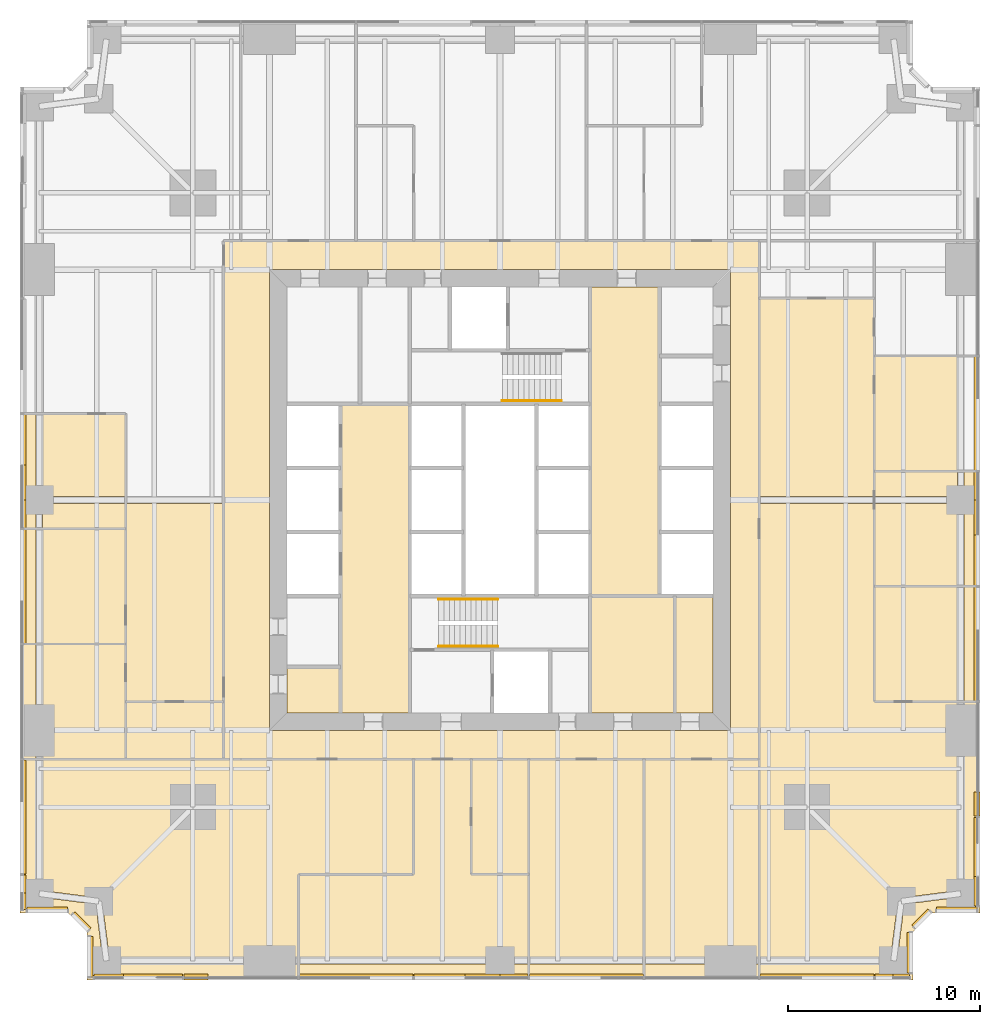
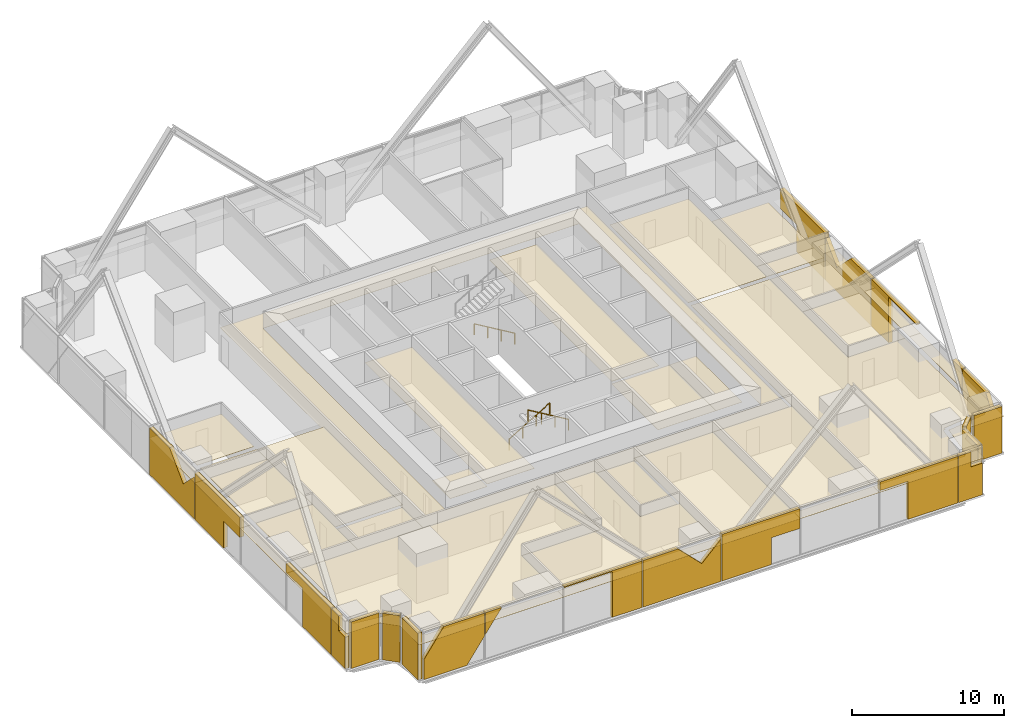
# One storey, part 12 of 13: 55 coverings, 3 railings.
"""IFC4 building model written with IfcOpenShell, lengths in metres."""

import ifcopenshell
import ifcopenshell.guid

model = None  # the IFC model being written
_history = None  # IfcOwnerHistory: only IFC2X3 demands one
_inside = {}  # id of a spatial element -> (the spatial element, [elements in it])
_under = {}  # id of a project, library or spatial element -> (it, [spatial elements below it])
_declared = {}  # id of a project -> (the project, [libraries it declares])
_typed = {}  # id of a type object -> (the type object, [elements of that type])
_made_of = {}  # id of a material, layer set ... -> (it, [elements and type objects made of it])


def new_model(schema):
    """Start an empty IFC model of exactly this schema.

    Asked for "IFC4X3", IfcOpenShell would pick the latest addendum, in which some entities
    have other attributes; the version numbers below select the first issue.
    IFC2X3 requires an IfcOwnerHistory on every rooted entity: one is made here for all.
    """
    global model, _history
    if schema == "IFC4X3":
        model = ifcopenshell.file(schema_version=(4, 3, 0, 0))
    else:
        model = ifcopenshell.file(schema=schema)
    _inside.clear()
    _under.clear()
    _declared.clear()
    _typed.clear()
    _made_of.clear()
    _history = None
    if model.schema == "IFC2X3":
        org = make("IfcOrganization", Name="unknown")
        user = make(
            "IfcPersonAndOrganization",
            ThePerson=make("IfcPerson", FamilyName="unknown"),
            TheOrganization=org,
        )
        app = make(
            "IfcApplication",
            ApplicationDeveloper=org,
            Version="unknown",
            ApplicationFullName="unknown",
            ApplicationIdentifier="unknown",
        )
        _history = make(
            "IfcOwnerHistory",
            OwningUser=user,
            OwningApplication=app,
            ChangeAction="ADDED",
            CreationDate=0,
        )
    return model


def make(cls, **values):
    """One entity of the class cls with the attributes given. An attribute that is None is left unset."""
    return model.create_entity(
        cls, **{name: value for name, value in values.items() if value is not None}
    )


def rooted(cls, **values):
    """An entity with a GlobalId (a new one), such as an element, a storey or a relation."""
    return make(cls, GlobalId=ifcopenshell.guid.new(), OwnerHistory=_history, **values)


def si_unit(unit_type, name, prefix=None):
    """IfcSIUnit, for example si_unit("LENGTHUNIT", "METRE", prefix="MILLI")."""
    return make("IfcSIUnit", UnitType=unit_type, Prefix=prefix, Name=name)


def assignment(units):
    """IfcUnitAssignment: the units of a project."""
    return None if units is None else make("IfcUnitAssignment", Units=units)


def point(xyz):
    """IfcCartesianPoint."""
    return None if xyz is None else make("IfcCartesianPoint", Coordinates=xyz)


def direction(xyz):
    """IfcDirection."""
    return None if xyz is None else make("IfcDirection", DirectionRatios=xyz)


def frame(location, z_axis=None, x_axis=None):
    """IfcAxis2Placement3D, a coordinate frame: its origin and axes. An axis left out is left unset."""
    return make(
        "IfcAxis2Placement3D",
        Location=point(location),
        Axis=direction(z_axis),
        RefDirection=direction(x_axis),
    )


def frame_2d(location, x_axis=None):
    """IfcAxis2Placement2D, a coordinate frame in the plane: its origin and x axis."""
    return make(
        "IfcAxis2Placement2D", Location=point(location), RefDirection=direction(x_axis)
    )


def origin():
    """The frame at (0, 0, 0) with its axes left unset."""
    return frame((0.0, 0.0, 0.0))


def origin_2d():
    """The frame at (0, 0) in the plane with its x axis left unset."""
    return frame_2d((0.0, 0.0))


def place(relative_to, where):
    """IfcLocalPlacement: puts the frame where relative to a parent placement (None: the world)."""
    return make(
        "IfcLocalPlacement", PlacementRelTo=relative_to, RelativePlacement=where
    )


def context(
    kind, dimensions, precision=None, world=None, true_north=None, identifier=None
):
    """IfcGeometricRepresentationContext, for example the 3D "Model" context."""
    return make(
        "IfcGeometricRepresentationContext",
        ContextIdentifier=identifier,
        ContextType=kind,
        CoordinateSpaceDimension=dimensions,
        Precision=precision,
        WorldCoordinateSystem=world,
        TrueNorth=true_north,
    )


def subcontext(parent, identifier, kind, view, scale=None):
    """IfcGeometricRepresentationSubContext, for example "Body" below "Model"."""
    return make(
        "IfcGeometricRepresentationSubContext",
        ContextIdentifier=identifier,
        ContextType=kind,
        ParentContext=parent,
        TargetScale=scale,
        TargetView=view,
    )


def project(units=None, contexts=None):
    """IfcProject with its units and contexts."""
    return rooted(
        "IfcProject",
        Name="project",
        RepresentationContexts=contexts,
        UnitsInContext=assignment(units),
    )


def spatial(cls, under=None, at=None, **own):
    """A site, building, storey or space (cls), placed at a placement, below another one or the project."""
    s = rooted(cls, ObjectPlacement=at, **own)
    if under is not None:
        _under.setdefault(under.id(), (under, []))[1].append(s)
    return s


def polyline(points):
    """IfcPolyline through the points."""
    return make("IfcPolyline", Points=[point(p) for p in points])


def profile(cls, at=None, kind="AREA", **sizes):
    """A parametric profile (cls). Its sizes go by their IFC names, for example OverallWidth=200.0."""
    return make(cls, ProfileType=kind, Position=at, **sizes)


def circle(**sizes):
    """IfcCircleProfileDef."""
    return profile("IfcCircleProfileDef", **sizes)


def outline(outer, holes=None, kind="AREA"):
    """IfcArbitraryClosedProfileDef: a profile drawn as a closed curve; with holes, ...WithVoids."""
    if holes is None:
        return make("IfcArbitraryClosedProfileDef", ProfileType=kind, OuterCurve=outer)
    return make(
        "IfcArbitraryProfileDefWithVoids",
        ProfileType=kind,
        OuterCurve=outer,
        InnerCurves=holes,
    )


def extrude(swept, where, along, depth):
    """IfcExtrudedAreaSolid: the profile swept, set in the frame where, extruded along a direction by depth."""
    return make(
        "IfcExtrudedAreaSolid",
        SweptArea=swept,
        Position=where,
        ExtrudedDirection=direction(along),
        Depth=depth,
    )


def shape(context_of_items, identifier, shape_type, items):
    """IfcShapeRepresentation: the items that make up one representation, for example the "Body"."""
    return make(
        "IfcShapeRepresentation",
        ContextOfItems=context_of_items,
        RepresentationIdentifier=identifier,
        RepresentationType=shape_type,
        Items=items,
    )


def material(Name=None, Category=None):
    """IfcMaterial."""
    return make("IfcMaterial", Name=Name, Category=Category)


def layer(
    of_material, thickness, ventilated=None, Name=None, Category=None, Priority=None
):
    """IfcMaterialLayer: one layer of a wall or slab, of a material (None: an air gap)."""
    return make(
        "IfcMaterialLayer",
        Material=of_material,
        LayerThickness=thickness,
        IsVentilated=ventilated,
        Name=Name,
        Category=Category,
        Priority=Priority,
    )


def layer_set(layers, Name=None):
    """IfcMaterialLayerSet."""
    return make("IfcMaterialLayerSet", MaterialLayers=layers, LayerSetName=Name)


def made_of(thing, what):
    """Note that an element or type object is made of a material, layer set ...; save() writes the relation."""
    if what is not None:
        _made_of.setdefault(what.id(), (what, []))[1].append(thing)
    return thing


def type_object(cls, material=None, **own):
    """A type object (cls), such as IfcWallType, which elements share."""
    return made_of(rooted(cls, **own), material)


def element(
    cls,
    number,
    at=None,
    inside=None,
    cuts=None,
    type_object=None,
    material=None,
    context=None,
    identifier="Body",
    shape_type=None,
    held_by="IfcProductDefinitionShape",
    body=None,
    shapes=None,
    **own,
):
    """One element of the class cls, such as IfcWall. Its Tag is "e" and its number.

    at: its placement. inside: the storey or other place that contains it. cuts: it is an
    opening in that element (IfcRelVoidsElement). A single representation is given by context,
    identifier, shape_type and body (its items); several are given by shapes. held_by: the class
    of the entity that holds the representations. save() writes the other relations.
    """
    e = rooted(cls, Tag="e%d" % number, ObjectPlacement=at, **own)
    if body is not None:
        shapes = [shape(context, identifier, shape_type, body)]
    if shapes is not None:
        e.Representation = make(held_by, Representations=shapes)
    if inside is not None:
        _inside.setdefault(inside.id(), (inside, []))[1].append(e)
    if cuts is not None:
        rooted(
            "IfcRelVoidsElement", RelatingBuildingElement=cuts, RelatedOpeningElement=e
        )
    if type_object is not None:
        _typed.setdefault(type_object.id(), (type_object, []))[1].append(e)
    return made_of(e, material)


def aggregate(whole, parts):
    """IfcRelAggregates: a whole, such as a stair, and the parts it consists of."""
    return rooted("IfcRelAggregates", RelatingObject=whole, RelatedObjects=parts)


def save(model, path):
    """Write the relations noted so far, then the file.

    IfcRelAggregates (storeys below a building ...), IfcRelContainedInSpatialStructure (elements
    in a storey), IfcRelDefinesByType, IfcRelAssociatesMaterial and IfcRelDeclares: one each for
    every whole, place, type object, material and project.
    """
    for whole, parts in _under.values():
        aggregate(whole, parts)
    for where, things in _inside.values():
        rooted(
            "IfcRelContainedInSpatialStructure",
            RelatedElements=things,
            RelatingStructure=where,
        )
    for kind, things in _typed.values():
        rooted("IfcRelDefinesByType", RelatedObjects=things, RelatingType=kind)
    for what, things in _made_of.values():
        rooted("IfcRelAssociatesMaterial", RelatedObjects=things, RelatingMaterial=what)
    for by, libraries in _declared.values():
        rooted("IfcRelDeclares", RelatingContext=by, RelatedDefinitions=libraries)
    model.write(path)


model = new_model("IFC4")

# Units and contexts
model_context = context("Model", 3, precision=1e-05, world=origin(), true_north=direction((0.0, 1.0)))
body_context = subcontext(model_context, "Body", "Model", "MODEL_VIEW")
ifc_project = project(units=[si_unit("LENGTHUNIT", "METRE"), si_unit("AREAUNIT", "SQUARE_METRE"), si_unit("VOLUMEUNIT", "CUBIC_METRE"), si_unit("PLANEANGLEUNIT", "RADIAN"), si_unit("MASSUNIT", "GRAM", prefix="KILO")], contexts=[model_context])

# Site, building, storey
site_placement = place(None, origin())
site = spatial("IfcSite", under=ifc_project, at=site_placement, CompositionType="ELEMENT")
building_placement = place(site_placement, origin())
building = spatial("IfcBuilding", under=site, at=building_placement, Name="Fenwick Lantern Interchange", CompositionType="ELEMENT")
storey_placement = place(building_placement, frame((0.0, 0.0, 43.0)))
storey = spatial("IfcBuildingStorey", under=building, at=storey_placement, Name="L09", CompositionType="ELEMENT", Elevation=43.0)

# Coverings
ifc_material_1 = material(Name="Mineral fibre acoustic tile on suspended grid")
ifc_layer_1 = layer(ifc_material_1, 0.02001953125)
ifc_layer_set_1 = layer_set([ifc_layer_1], Name="ACOUSTIC TILE CEILING 20")
covering_type_1 = type_object("IfcCoveringType", Name="ACOUSTIC TILE CEILING 20", PredefinedType="CEILING", material=ifc_layer_set_1)
covering_1_placement = place(storey_placement, frame((0.0, 0.0, 2.89990234375)))
element("IfcCovering", 1, at=covering_1_placement, inside=storey, type_object=covering_type_1, Name="Office suite ceiling", PredefinedType="CEILING", context=body_context, shape_type="SweptSolid", body=[
    extrude(outline(polyline([(20.5, 11.5), (1.17236328125, 11.5), (1.17236328125, 4.651611328125), (4.1220703125, 4.27099609375), (4.10009765625, 4.10009765625), (4.27099609375, 4.1220703125), (4.651611328125, 1.17236328125), (13.0, 1.17236328125), (14.5, 1.17236328125), (14.5, 5.5), (20.5, 5.5), (20.5, 11.5)])), origin(), (0.0, 0.0, 1.0), 0.02001953125),
])
covering_2_placement = place(storey_placement, frame((0.0, 0.0, 2.89990234375)))
element("IfcCovering", 2, at=covering_2_placement, inside=storey, type_object=covering_type_1, Name="Office suite ceiling", PredefinedType="CEILING", context=body_context, shape_type="SweptSolid", body=[
    extrude(outline(polyline([(2.5, 3.5), (3.5, 2.5), (3.5, 0.0), (14.5, 0.0), (14.5, 0.82763671875), (13.0, 0.82763671875), (4.5, 0.82763671875), (4.5, 1.0), (4.3291015625, 0.97802734375), (3.946044921875, 3.946044921875), (0.97802734375, 4.3291015625), (1.0, 4.5), (0.82763671875, 4.5), (0.82763671875, 11.5), (0.0, 11.5), (0.0, 3.5), (2.5, 3.5)])), origin(), (0.0, 0.0, 1.0), 0.02001953125),
])
covering_3_placement = place(storey_placement, frame((0.0, 0.0, 2.89990234375)))
element("IfcCovering", 3, at=covering_3_placement, inside=storey, type_object=covering_type_1, Name="Office suite ceiling", PredefinedType="CEILING", context=body_context, shape_type="SweptSolid", body=[
    extrude(outline(polyline([(14.5, 5.5), (14.5, 1.17236328125), (25.0, 1.17236328125), (26.5, 1.17236328125), (26.5, 5.5), (23.5, 5.5), (23.5, 11.5), (20.5, 11.5), (20.5, 5.5), (14.5, 5.5)])), origin(), (0.0, 0.0, 1.0), 0.02001953125),
])
covering_4_placement = place(storey_placement, frame((0.0, 0.0, 2.89990234375)))
element("IfcCovering", 4, at=covering_4_placement, inside=storey, type_object=covering_type_1, Name="Office suite ceiling", PredefinedType="CEILING", context=body_context, shape_type="SweptSolid", body=[
    extrude(outline(polyline([(14.5, 0.82763671875), (14.5, 0.0), (26.5, 0.0), (26.5, 0.82763671875), (25.0, 0.82763671875), (14.5, 0.82763671875)])), origin(), (0.0, 0.0, 1.0), 0.02001953125),
])
covering_5_placement = place(storey_placement, frame((0.0, 0.0, 2.699951171875)))
element("IfcCovering", 5, at=covering_5_placement, inside=storey, type_object=covering_type_1, Name="Quiet room ceiling", PredefinedType="CEILING", context=body_context, shape_type="SweptSolid", body=[
    extrude(outline(polyline([(23.5, 5.5), (26.5, 5.5), (26.5, 11.5), (23.5, 11.5), (23.5, 5.5)])), origin(), (0.0, 0.0, 1.0), 0.02001953125),
])
covering_6_placement = place(storey_placement, frame((0.0, 0.0, 2.89990234375)))
element("IfcCovering", 6, at=covering_6_placement, inside=storey, type_object=covering_type_1, Name="Office suite ceiling", PredefinedType="CEILING", context=body_context, shape_type="SweptSolid", body=[
    extrude(outline(polyline([(26.5, 11.5), (26.5, 1.17236328125), (32.5, 1.17236328125), (32.5, 11.5), (26.5, 11.5)])), origin(), (0.0, 0.0, 1.0), 0.02001953125),
])
covering_7_placement = place(storey_placement, frame((0.0, 0.0, 2.89990234375)))
element("IfcCovering", 7, at=covering_7_placement, inside=storey, type_object=covering_type_1, Name="Office suite ceiling", PredefinedType="CEILING", context=body_context, shape_type="SweptSolid", body=[
    extrude(outline(polyline([(26.5, 0.0), (32.5, 0.0), (32.5, 0.82763671875), (26.5, 0.82763671875), (26.5, 0.0)])), origin(), (0.0, 0.0, 1.0), 0.02001953125),
])
covering_8_placement = place(storey_placement, frame((0.0, 0.0, 2.89990234375)))
element("IfcCovering", 8, at=covering_8_placement, inside=storey, type_object=covering_type_1, Name="Office suite ceiling", PredefinedType="CEILING", context=body_context, shape_type="SweptSolid", body=[
    extrude(outline(polyline([(32.5, 11.5), (32.5, 1.17236328125), (37.0, 1.17236328125), (38.5, 1.17236328125), (38.5, 11.5), (32.5, 11.5)])), origin(), (0.0, 0.0, 1.0), 0.02001953125),
])
covering_9_placement = place(storey_placement, frame((0.0, 0.0, 2.89990234375)))
element("IfcCovering", 9, at=covering_9_placement, inside=storey, type_object=covering_type_1, Name="Office suite ceiling", PredefinedType="CEILING", context=body_context, shape_type="SweptSolid", body=[
    extrude(outline(polyline([(32.5, 0.0), (38.5, 0.0), (38.5, 0.82763671875), (37.0, 0.82763671875), (32.5, 0.82763671875), (32.5, 0.0)])), origin(), (0.0, 0.0, 1.0), 0.02001953125),
])
covering_10_placement = place(storey_placement, frame((0.0, 0.0, 2.89990234375)))
element("IfcCovering", 10, at=covering_10_placement, inside=storey, type_object=covering_type_1, Name="Office suite ceiling", PredefinedType="CEILING", context=body_context, shape_type="SweptSolid", body=[
    extrude(outline(polyline([(38.5, 24.824951171875), (38.5, 1.17236328125), (45.348388671875, 1.17236328125), (45.72900390625, 4.1220703125), (45.89990234375, 4.10009765625), (45.8779296875, 4.27099609375), (48.82763671875, 4.651611328125), (48.82763671875, 13.0), (48.82763671875, 14.5), (44.5, 14.5), (44.5, 24.824951171875), (38.5, 24.824951171875)])), origin(), (0.0, 0.0, 1.0), 0.02001953125),
])
covering_11_placement = place(storey_placement, frame((0.0, 0.0, 2.89990234375)))
element("IfcCovering", 11, at=covering_11_placement, inside=storey, type_object=covering_type_1, Name="Office suite ceiling", PredefinedType="CEILING", context=body_context, shape_type="SweptSolid", body=[
    extrude(outline(polyline([(38.5, 35.5), (38.5, 25.175048828125), (44.5, 25.175048828125), (44.5, 35.5), (38.5, 35.5)])), origin(), (0.0, 0.0, 1.0), 0.02001953125),
])
covering_12_placement = place(storey_placement, frame((0.0, 0.0, 2.89990234375)))
element("IfcCovering", 12, at=covering_12_placement, inside=storey, type_object=covering_type_1, Name="Office suite ceiling", PredefinedType="CEILING", context=body_context, shape_type="SweptSolid", body=[
    extrude(outline(polyline([(38.5, 0.0), (46.5, 0.0), (46.5, 2.5), (47.5, 3.5), (50.0, 3.5), (50.0, 14.5), (49.17236328125, 14.5), (49.17236328125, 13.0), (49.17236328125, 4.5), (49.0, 4.5), (49.02197265625, 4.3291015625), (46.053955078125, 3.946044921875), (45.6708984375, 0.97802734375), (45.5, 1.0), (45.5, 0.82763671875), (38.5, 0.82763671875), (38.5, 0.0)])), origin(), (0.0, 0.0, 1.0), 0.02001953125),
])
covering_13_placement = place(storey_placement, frame((0.0, 0.0, 2.89990234375)))
element("IfcCovering", 13, at=covering_13_placement, inside=storey, type_object=covering_type_1, Name="Office ceiling", PredefinedType="CEILING", context=body_context, shape_type="SweptSolid", body=[
    extrude(outline(polyline([(44.5, 14.5), (48.82763671875, 14.5), (48.82763671875, 20.5), (44.5, 20.5), (44.5, 14.5)])), origin(), (0.0, 0.0, 1.0), 0.02001953125),
])
covering_14_placement = place(storey_placement, frame((0.0, 0.0, 2.89990234375)))
element("IfcCovering", 14, at=covering_14_placement, inside=storey, type_object=covering_type_1, Name="Office ceiling", PredefinedType="CEILING", context=body_context, shape_type="SweptSolid", body=[
    extrude(outline(polyline([(50.0, 20.5), (49.17236328125, 20.5), (49.17236328125, 14.5), (50.0, 14.5), (50.0, 20.5)])), origin(), (0.0, 0.0, 1.0), 0.02001953125),
])
covering_15_placement = place(storey_placement, frame((0.0, 0.0, 2.89990234375)))
element("IfcCovering", 15, at=covering_15_placement, inside=storey, type_object=covering_type_1, Name="Office ceiling", PredefinedType="CEILING", context=body_context, shape_type="SweptSolid", body=[
    extrude(outline(polyline([(44.5, 20.5), (48.82763671875, 20.5), (48.82763671875, 24.824951171875), (44.5, 24.824951171875), (44.5, 20.5)])), origin(), (0.0, 0.0, 1.0), 0.02001953125),
])
covering_16_placement = place(storey_placement, frame((0.0, 0.0, 2.89990234375)))
element("IfcCovering", 16, at=covering_16_placement, inside=storey, type_object=covering_type_1, Name="Office ceiling", PredefinedType="CEILING", context=body_context, shape_type="SweptSolid", body=[
    extrude(outline(polyline([(44.5, 26.5), (44.5, 25.175048828125), (48.82763671875, 25.175048828125), (48.82763671875, 26.5), (44.5, 26.5)])), origin(), (0.0, 0.0, 1.0), 0.02001953125),
])
covering_17_placement = place(storey_placement, frame((0.0, 0.0, 2.89990234375)))
element("IfcCovering", 17, at=covering_17_placement, inside=storey, type_object=covering_type_1, Name="Office ceiling", PredefinedType="CEILING", context=body_context, shape_type="SweptSolid", body=[
    extrude(outline(polyline([(50.0, 26.5), (49.17236328125, 26.5), (49.17236328125, 25.0), (49.17236328125, 20.5), (50.0, 20.5), (50.0, 26.5)])), origin(), (0.0, 0.0, 1.0), 0.02001953125),
])
covering_18_placement = place(storey_placement, frame((0.0, 0.0, 2.89990234375)))
element("IfcCovering", 18, at=covering_18_placement, inside=storey, type_object=covering_type_1, Name="Office ceiling", PredefinedType="CEILING", context=body_context, shape_type="SweptSolid", body=[
    extrude(outline(polyline([(44.5, 26.5), (48.82763671875, 26.5), (48.82763671875, 32.5), (44.5, 32.5), (44.5, 26.5)])), origin(), (0.0, 0.0, 1.0), 0.02001953125),
])
covering_19_placement = place(storey_placement, frame((0.0, 0.0, 2.89990234375)))
element("IfcCovering", 19, at=covering_19_placement, inside=storey, type_object=covering_type_1, Name="Office suite ceiling", PredefinedType="CEILING", context=body_context, shape_type="SweptSolid", body=[
    extrude(outline(polyline([(10.60009765625, 14.5), (10.60009765625, 24.824951171875), (5.5, 24.824951171875), (5.5, 14.5), (10.60009765625, 14.5)])), origin(), (0.0, 0.0, 1.0), 0.02001953125),
])
covering_20_placement = place(storey_placement, frame((0.0, 0.0, 2.89990234375)))
element("IfcCovering", 20, at=covering_20_placement, inside=storey, type_object=covering_type_1, Name="Office ceiling", PredefinedType="CEILING", context=body_context, shape_type="SweptSolid", body=[
    extrude(outline(polyline([(5.5, 29.5), (1.17236328125, 29.5), (1.17236328125, 25.175048828125), (5.5, 25.175048828125), (5.5, 29.5)])), origin(), (0.0, 0.0, 1.0), 0.02001953125),
])
covering_21_placement = place(storey_placement, frame((0.0, 0.0, 2.89990234375)))
element("IfcCovering", 21, at=covering_21_placement, inside=storey, type_object=covering_type_1, Name="Office ceiling", PredefinedType="CEILING", context=body_context, shape_type="SweptSolid", body=[
    extrude(outline(polyline([(5.5, 23.5), (5.5, 24.824951171875), (1.17236328125, 24.824951171875), (1.17236328125, 23.5), (5.5, 23.5)])), origin(), (0.0, 0.0, 1.0), 0.02001953125),
])
covering_22_placement = place(storey_placement, frame((0.0, 0.0, 2.89990234375)))
element("IfcCovering", 22, at=covering_22_placement, inside=storey, type_object=covering_type_1, Name="Office ceiling", PredefinedType="CEILING", context=body_context, shape_type="SweptSolid", body=[
    extrude(outline(polyline([(0.0, 23.5), (0.82763671875, 23.5), (0.82763671875, 25.0), (0.82763671875, 29.5), (0.0, 29.5), (0.0, 23.5)])), origin(), (0.0, 0.0, 1.0), 0.02001953125),
])
covering_23_placement = place(storey_placement, frame((0.0, 0.0, 2.89990234375)))
element("IfcCovering", 23, at=covering_23_placement, inside=storey, type_object=covering_type_1, Name="Meeting room ceiling", PredefinedType="CEILING", context=body_context, shape_type="SweptSolid", body=[
    extrude(outline(polyline([(5.5, 23.5), (1.17236328125, 23.5), (1.17236328125, 17.5), (5.5, 17.5), (5.5, 23.5)])), origin(), (0.0, 0.0, 1.0), 0.02001953125),
])
covering_24_placement = place(storey_placement, frame((0.0, 0.0, 2.89990234375)))
element("IfcCovering", 24, at=covering_24_placement, inside=storey, type_object=covering_type_1, Name="Meeting room ceiling", PredefinedType="CEILING", context=body_context, shape_type="SweptSolid", body=[
    extrude(outline(polyline([(0.0, 17.5), (0.82763671875, 17.5), (0.82763671875, 23.5), (0.0, 23.5), (0.0, 17.5)])), origin(), (0.0, 0.0, 1.0), 0.02001953125),
])
covering_25_placement = place(storey_placement, frame((0.0, 0.0, 2.89990234375)))
element("IfcCovering", 25, at=covering_25_placement, inside=storey, type_object=covering_type_1, Name="Office ceiling", PredefinedType="CEILING", context=body_context, shape_type="SweptSolid", body=[
    extrude(outline(polyline([(5.5, 17.5), (1.17236328125, 17.5), (1.17236328125, 13.0), (1.17236328125, 11.5), (5.5, 11.5), (5.5, 17.5)])), origin(), (0.0, 0.0, 1.0), 0.02001953125),
])
covering_26_placement = place(storey_placement, frame((0.0, 0.0, 2.89990234375)))
element("IfcCovering", 26, at=covering_26_placement, inside=storey, type_object=covering_type_1, Name="Office ceiling", PredefinedType="CEILING", context=body_context, shape_type="SweptSolid", body=[
    extrude(outline(polyline([(0.0, 11.5), (0.82763671875, 11.5), (0.82763671875, 13.0), (0.82763671875, 17.5), (0.0, 17.5), (0.0, 11.5)])), origin(), (0.0, 0.0, 1.0), 0.02001953125),
])
ifc_material_2 = material(Name="Granite cladding, warm grey flamed finish, on aluminium carrier frame", Category="masonry")
ifc_layer_2 = layer(ifc_material_2, 0.300048828125)
ifc_layer_set_2 = layer_set([ifc_layer_2], Name="BRACE CASING PANEL 300")
covering_type_2 = type_object("IfcCoveringType", Name="BRACE CASING PANEL 300", PredefinedType="CLADDING", material=ifc_layer_set_2)
covering_27_placement = place(storey_placement, frame((3.60009765625, 0.10009765625, 0.0), z_axis=(0.0, 0.0, 1.0), x_axis=(1.0, 0.0, 0.0)))
element("IfcCovering", 27, at=covering_27_placement, inside=storey, type_object=covering_type_2, Name="Brace casing 01 bay 00a", PredefinedType="CLADDING", context=body_context, shape_type="SweptSolid", body=[
    extrude(outline(polyline([(0.264892578125, 0.0), (3.53515625, 0.0), (4.867431640625, 1.881103515625), (4.867431640625, 3.75), (1.77978515625, 3.75), (0.264892578125, 1.611572265625), (0.264892578125, 0.0)])), frame((0.0, 0.2001953125, 0.0), z_axis=(0.0, -1.0, 0.0), x_axis=(1.0, 0.0, 0.0)), (0.0, 0.0, 1.0), 0.300048828125),
])
covering_28_placement = place(storey_placement, frame((3.60009765625, 0.10009765625, 1.972900390625), z_axis=(0.0, 0.0, 1.0), x_axis=(1.0, 0.0, 0.0)))
element("IfcCovering", 28, at=covering_28_placement, inside=storey, type_object=covering_type_2, Name="Brace casing 01 bay 01a", PredefinedType="CLADDING", context=body_context, shape_type="SweptSolid", body=[
    extrude(outline(polyline([(4.9326171875, 0.0), (6.19140625, 1.777099609375), (4.9326171875, 1.777099609375), (4.9326171875, 0.0)])), frame((0.0, 0.2001953125, 0.0), z_axis=(0.0, -1.0, 0.0), x_axis=(1.0, 0.0, 0.0)), (0.0, 0.0, 1.0), 0.300048828125),
])
covering_29_placement = place(storey_placement, frame((3.60009765625, 0.10009765625, 0.0), z_axis=(0.0, 0.0, 1.0), x_axis=(1.0, 0.0, 0.0)))
element("IfcCovering", 29, at=covering_29_placement, inside=storey, type_object=covering_type_2, Name="Brace casing 01 bay 02a", PredefinedType="CLADDING", context=body_context, shape_type="SweptSolid", body=[
    extrude(outline(polyline([(14.592529296875, 0.0), (16.867431640625, 0.0), (16.867431640625, 3.75), (10.9326171875, 3.75), (10.9326171875, 3.656005859375), (14.592529296875, 3.656005859375), (14.592529296875, 0.0)])), frame((0.0, 0.2001953125, 0.0), z_axis=(0.0, -1.0, 0.0), x_axis=(1.0, 0.0, 0.0)), (0.0, 0.0, 1.0), 0.300048828125),
])
covering_30_placement = place(storey_placement, frame((3.60009765625, 0.10009765625, 0.0), z_axis=(0.0, 0.0, 1.0), x_axis=(1.0, 0.0, 0.0)))
element("IfcCovering", 30, at=covering_30_placement, inside=storey, type_object=covering_type_2, Name="Brace casing 01 bay 03a", PredefinedType="CLADDING", context=body_context, shape_type="SweptSolid", body=[
    extrude(outline(polyline([(16.9326171875, 0.0), (22.867431640625, 0.0), (22.867431640625, 3.406982421875), (21.39990234375, 1.939453125), (19.589599609375, 3.75), (16.9326171875, 3.75), (16.9326171875, 0.0)])), frame((0.0, 0.2001953125, 0.0), z_axis=(0.0, -1.0, 0.0), x_axis=(1.0, 0.0, 0.0)), (0.0, 0.0, 1.0), 0.300048828125),
])
covering_31_placement = place(storey_placement, frame((3.60009765625, 0.10009765625, 0.0), z_axis=(0.0, 0.0, 1.0), x_axis=(1.0, 0.0, 0.0)))
element("IfcCovering", 31, at=covering_31_placement, inside=storey, type_object=covering_type_2, Name="Brace casing 01 bay 04a", PredefinedType="CLADDING", context=body_context, shape_type="SweptSolid", body=[
    extrude(outline(polyline([(22.9326171875, 0.0), (26.711669921875, 0.0), (26.711669921875, 2.159912109375), (28.867431640625, 2.159912109375), (28.867431640625, 3.75), (22.9326171875, 3.75), (22.9326171875, 0.0)])), frame((0.0, 0.2001953125, 0.0), z_axis=(0.0, -1.0, 0.0), x_axis=(1.0, 0.0, 0.0)), (0.0, 0.0, 1.0), 0.300048828125),
])
covering_32_placement = place(storey_placement, frame((3.60009765625, 0.10009765625, 0.0), z_axis=(0.0, 0.0, 1.0), x_axis=(1.0, 0.0, 0.0)))
element("IfcCovering", 32, at=covering_32_placement, inside=storey, type_object=covering_type_2, Name="Brace casing 01 bay 06a", PredefinedType="CLADDING", context=body_context, shape_type="SweptSolid", body=[
    extrude(outline(polyline([(37.097412109375, 0.0), (40.867431640625, 0.0), (40.867431640625, 3.75), (34.9326171875, 3.75), (34.9326171875, 3.059814453125), (37.097412109375, 3.059814453125), (37.097412109375, 0.0)])), frame((0.0, 0.2001953125, 0.0), z_axis=(0.0, -1.0, 0.0), x_axis=(1.0, 0.0, 0.0)), (0.0, 0.0, 1.0), 0.300048828125),
])
covering_33_placement = place(storey_placement, frame((3.60009765625, 0.10009765625, 0.0), z_axis=(0.0, 0.0, 1.0), x_axis=(1.0, 0.0, 0.0)))
element("IfcCovering", 33, at=covering_33_placement, inside=storey, type_object=covering_type_2, Name="Brace casing 01 bay 07a", PredefinedType="CLADDING", context=body_context, shape_type="SweptSolid", body=[
    extrude(outline(polyline([(40.9326171875, 0.0), (42.735107421875, 0.0), (42.735107421875, 2.54296875), (41.875244140625, 2.54296875), (41.875244140625, 3.75), (40.9326171875, 3.75), (40.9326171875, 0.0)])), frame((0.0, 0.2001953125, 0.0), z_axis=(0.0, -1.0, 0.0), x_axis=(1.0, 0.0, 0.0)), (0.0, 0.0, 1.0), 0.300048828125),
])
covering_34_placement = place(storey_placement, frame((46.39990234375, 0.10009765625, 0.0), z_axis=(0.0, 0.0, 1.0), x_axis=(0.0, 1.0, 0.0)))
element("IfcCovering", 34, at=covering_34_placement, inside=storey, type_object=covering_type_2, Name="Brace casing 02 bay 00a", PredefinedType="CLADDING", context=body_context, shape_type="SweptSolid", body=[
    extrude(outline(polyline([(0.264892578125, 0.0), (2.37646484375, 0.0), (2.37646484375, 3.75), (0.264892578125, 3.75), (0.264892578125, 0.0)])), frame((0.0, 0.2001953125, 0.0), z_axis=(0.0, -1.0, 0.0), x_axis=(1.0, 0.0, 0.0)), (0.0, 0.0, 1.0), 0.300048828125),
])
covering_35_placement = place(storey_placement, frame((46.39990234375, 2.54150390625, 0.0), z_axis=(0.0, 0.0, 1.0), x_axis=(0.707106781187, 0.707106781187, 0.0)))
element("IfcCovering", 35, at=covering_35_placement, inside=storey, type_object=covering_type_2, Name="Brace casing 03 bay 00a", PredefinedType="CLADDING", context=body_context, shape_type="SweptSolid", body=[
    extrude(outline(polyline([(0.264892578125, 0.0), (1.43212890625, 0.0), (1.43212890625, 3.75), (0.264892578125, 3.75), (0.264892578125, 0.0)])), frame((0.0, 0.2001953125, 0.0), z_axis=(0.0, -1.0, 0.0), x_axis=(1.0, 0.0, 0.0)), (0.0, 0.0, 1.0), 0.300048828125),
])
covering_36_placement = place(storey_placement, frame((47.45849609375, 3.60009765625, 0.0), z_axis=(0.0, 0.0, 1.0), x_axis=(1.0, 0.0, 0.0)))
element("IfcCovering", 36, at=covering_36_placement, inside=storey, type_object=covering_type_2, Name="Brace casing 04 bay 00a", PredefinedType="CLADDING", context=body_context, shape_type="SweptSolid", body=[
    extrude(outline(polyline([(0.264892578125, 0.0), (2.37646484375, 0.0), (2.37646484375, 3.75), (0.264892578125, 3.75), (0.264892578125, 0.0)])), frame((0.0, 0.2001953125, 0.0), z_axis=(0.0, -1.0, 0.0), x_axis=(1.0, 0.0, 0.0)), (0.0, 0.0, 1.0), 0.300048828125),
])
covering_37_placement = place(storey_placement, frame((49.89990234375, 3.60009765625, 0.0), z_axis=(0.0, 0.0, 1.0), x_axis=(0.0, 1.0, 0.0)))
element("IfcCovering", 37, at=covering_37_placement, inside=storey, type_object=covering_type_2, Name="Brace casing 05 bay 00a", PredefinedType="CLADDING", context=body_context, shape_type="SweptSolid", body=[
    extrude(outline(polyline([(0.264892578125, 0.0), (3.53515625, 0.0), (4.867431640625, 1.881103515625), (4.867431640625, 3.75), (1.77978515625, 3.75), (0.264892578125, 1.611572265625), (0.264892578125, 0.0)])), frame((0.0, 0.2001953125, 0.0), z_axis=(0.0, -1.0, 0.0), x_axis=(1.0, 0.0, 0.0)), (0.0, 0.0, 1.0), 0.300048828125),
])
covering_38_placement = place(storey_placement, frame((49.89990234375, 3.60009765625, 1.972900390625), z_axis=(0.0, 0.0, 1.0), x_axis=(0.0, 1.0, 0.0)))
element("IfcCovering", 38, at=covering_38_placement, inside=storey, type_object=covering_type_2, Name="Brace casing 05 bay 01a", PredefinedType="CLADDING", context=body_context, shape_type="SweptSolid", body=[
    extrude(outline(polyline([(4.9326171875, 0.0), (6.19140625, 1.777099609375), (4.9326171875, 1.777099609375), (4.9326171875, 0.0)])), frame((0.0, 0.2001953125, 0.0), z_axis=(0.0, -1.0, 0.0), x_axis=(1.0, 0.0, 0.0)), (0.0, 0.0, 1.0), 0.300048828125),
])
covering_39_placement = place(storey_placement, frame((49.89990234375, 3.60009765625, 0.0), z_axis=(0.0, 0.0, 1.0), x_axis=(0.0, 1.0, 0.0)))
element("IfcCovering", 39, at=covering_39_placement, inside=storey, type_object=covering_type_2, Name="Brace casing 05 bay 02a", PredefinedType="CLADDING", context=body_context, shape_type="SweptSolid", body=[
    extrude(outline(polyline([(14.592529296875, 0.0), (16.867431640625, 0.0), (16.867431640625, 3.75), (10.9326171875, 3.75), (10.9326171875, 3.656005859375), (14.592529296875, 3.656005859375), (14.592529296875, 0.0)])), frame((0.0, 0.2001953125, 0.0), z_axis=(0.0, -1.0, 0.0), x_axis=(1.0, 0.0, 0.0)), (0.0, 0.0, 1.0), 0.300048828125),
])
covering_40_placement = place(storey_placement, frame((49.89990234375, 3.60009765625, 0.0), z_axis=(0.0, 0.0, 1.0), x_axis=(0.0, 1.0, 0.0)))
element("IfcCovering", 40, at=covering_40_placement, inside=storey, type_object=covering_type_2, Name="Brace casing 05 bay 03a", PredefinedType="CLADDING", context=body_context, shape_type="SweptSolid", body=[
    extrude(outline(polyline([(16.9326171875, 0.0), (22.867431640625, 0.0), (22.867431640625, 3.406982421875), (21.39990234375, 1.939453125), (19.589599609375, 3.75), (16.9326171875, 3.75), (16.9326171875, 0.0)])), frame((0.0, 0.2001953125, 0.0), z_axis=(0.0, -1.0, 0.0), x_axis=(1.0, 0.0, 0.0)), (0.0, 0.0, 1.0), 0.300048828125),
])
covering_41_placement = place(storey_placement, frame((49.89990234375, 3.60009765625, 0.0), z_axis=(0.0, 0.0, 1.0), x_axis=(0.0, 1.0, 0.0)))
element("IfcCovering", 41, at=covering_41_placement, inside=storey, type_object=covering_type_2, Name="Brace casing 05 bay 04a", PredefinedType="CLADDING", context=body_context, shape_type="SweptSolid", body=[
    extrude(outline(polyline([(22.9326171875, 0.0), (26.711669921875, 0.0), (26.711669921875, 2.159912109375), (28.867431640625, 2.159912109375), (28.867431640625, 3.75), (22.9326171875, 3.75), (22.9326171875, 0.0)])), frame((0.0, 0.2001953125, 0.0), z_axis=(0.0, -1.0, 0.0), x_axis=(1.0, 0.0, 0.0)), (0.0, 0.0, 1.0), 0.300048828125),
])
covering_42_placement = place(storey_placement, frame((0.10009765625, 46.39990234375, 0.0), z_axis=(0.0, 0.0, 1.0), x_axis=(0.0, -1.0, 0.0)))
element("IfcCovering", 42, at=covering_42_placement, inside=storey, type_object=covering_type_2, Name="Brace casing 13 bay 03a", PredefinedType="CLADDING", context=body_context, shape_type="SweptSolid", body=[
    extrude(outline(polyline([(16.9326171875, 0.0), (22.867431640625, 0.0), (22.867431640625, 3.406982421875), (21.39990234375, 1.939453125), (19.589599609375, 3.75), (16.9326171875, 3.75), (16.9326171875, 0.0)])), frame((0.0, 0.2001953125, 0.0), z_axis=(0.0, -1.0, 0.0), x_axis=(1.0, 0.0, 0.0)), (0.0, 0.0, 1.0), 0.300048828125),
])
covering_43_placement = place(storey_placement, frame((0.10009765625, 46.39990234375, 0.0), z_axis=(0.0, 0.0, 1.0), x_axis=(0.0, -1.0, 0.0)))
element("IfcCovering", 43, at=covering_43_placement, inside=storey, type_object=covering_type_2, Name="Brace casing 13 bay 04a", PredefinedType="CLADDING", context=body_context, shape_type="SweptSolid", body=[
    extrude(outline(polyline([(22.9326171875, 0.0), (26.711669921875, 0.0), (26.711669921875, 2.159912109375), (28.867431640625, 2.159912109375), (28.867431640625, 3.75), (22.9326171875, 3.75), (22.9326171875, 0.0)])), frame((0.0, 0.2001953125, 0.0), z_axis=(0.0, -1.0, 0.0), x_axis=(1.0, 0.0, 0.0)), (0.0, 0.0, 1.0), 0.300048828125),
])
covering_44_placement = place(storey_placement, frame((0.10009765625, 46.39990234375, 0.0), z_axis=(0.0, 0.0, 1.0), x_axis=(0.0, -1.0, 0.0)))
element("IfcCovering", 44, at=covering_44_placement, inside=storey, type_object=covering_type_2, Name="Brace casing 13 bay 06a", PredefinedType="CLADDING", context=body_context, shape_type="SweptSolid", body=[
    extrude(outline(polyline([(37.097412109375, 0.0), (40.867431640625, 0.0), (40.867431640625, 3.75), (34.9326171875, 3.75), (34.9326171875, 3.059814453125), (37.097412109375, 3.059814453125), (37.097412109375, 0.0)])), frame((0.0, 0.2001953125, 0.0), z_axis=(0.0, -1.0, 0.0), x_axis=(1.0, 0.0, 0.0)), (0.0, 0.0, 1.0), 0.300048828125),
])
covering_45_placement = place(storey_placement, frame((0.10009765625, 46.39990234375, 0.0), z_axis=(0.0, 0.0, 1.0), x_axis=(0.0, -1.0, 0.0)))
element("IfcCovering", 45, at=covering_45_placement, inside=storey, type_object=covering_type_2, Name="Brace casing 13 bay 07a", PredefinedType="CLADDING", context=body_context, shape_type="SweptSolid", body=[
    extrude(outline(polyline([(40.9326171875, 0.0), (42.735107421875, 0.0), (42.735107421875, 2.54296875), (41.875244140625, 2.54296875), (41.875244140625, 3.75), (40.9326171875, 3.75), (40.9326171875, 0.0)])), frame((0.0, 0.2001953125, 0.0), z_axis=(0.0, -1.0, 0.0), x_axis=(1.0, 0.0, 0.0)), (0.0, 0.0, 1.0), 0.300048828125),
])
covering_46_placement = place(storey_placement, frame((0.10009765625, 3.60009765625, 0.0), z_axis=(0.0, 0.0, 1.0), x_axis=(1.0, 0.0, 0.0)))
element("IfcCovering", 46, at=covering_46_placement, inside=storey, type_object=covering_type_2, Name="Brace casing 14 bay 00a", PredefinedType="CLADDING", context=body_context, shape_type="SweptSolid", body=[
    extrude(outline(polyline([(0.264892578125, 0.0), (2.37646484375, 0.0), (2.37646484375, 3.75), (0.264892578125, 3.75), (0.264892578125, 0.0)])), frame((0.0, 0.2001953125, 0.0), z_axis=(0.0, -1.0, 0.0), x_axis=(1.0, 0.0, 0.0)), (0.0, 0.0, 1.0), 0.300048828125),
])
covering_47_placement = place(storey_placement, frame((2.54150390625, 3.60009765625, 0.0), z_axis=(0.0, 0.0, 1.0), x_axis=(0.707106781187, -0.707106781187, 0.0)))
element("IfcCovering", 47, at=covering_47_placement, inside=storey, type_object=covering_type_2, Name="Brace casing 15 bay 00a", PredefinedType="CLADDING", context=body_context, shape_type="SweptSolid", body=[
    extrude(outline(polyline([(0.264892578125, 0.0), (1.43212890625, 0.0), (1.43212890625, 3.75), (0.264892578125, 3.75), (0.264892578125, 0.0)])), frame((0.0, 0.2001953125, 0.0), z_axis=(0.0, -1.0, 0.0), x_axis=(1.0, 0.0, 0.0)), (0.0, 0.0, 1.0), 0.300048828125),
])
covering_48_placement = place(storey_placement, frame((3.60009765625, 2.54150390625, 0.0), z_axis=(0.0, 0.0, 1.0), x_axis=(0.0, -1.0, 0.0)))
element("IfcCovering", 48, at=covering_48_placement, inside=storey, type_object=covering_type_2, Name="Brace casing 16 bay 00a", PredefinedType="CLADDING", context=body_context, shape_type="SweptSolid", body=[
    extrude(outline(polyline([(0.264892578125, 0.0), (2.37646484375, 0.0), (2.37646484375, 3.75), (0.264892578125, 3.75), (0.264892578125, 0.0)])), frame((0.0, 0.2001953125, 0.0), z_axis=(0.0, -1.0, 0.0), x_axis=(1.0, 0.0, 0.0)), (0.0, 0.0, 1.0), 0.300048828125),
])

# Railings
ifc_material_3 = material(Name="Stainless steel handrail", Category="steel")
railing_type = type_object("IfcRailingType", Name="HANDRAIL 900", PredefinedType="HANDRAIL", material=ifc_material_3)
railing_placement = place(storey_placement, frame((21.800048828125, 19.825927734375, 0.166748046875)))
element("IfcRailing", 49, at=railing_placement, inside=storey, type_object=railing_type, Name="L09/STAIR/ST1/HR1", PredefinedType="HANDRAIL", context=body_context, shape_type="SweptSolid", body=[
    extrude(circle(Radius=0.02392578125, at=origin_2d()), frame((0.0, 0.0, 0.8759765625), z_axis=(0.859290745958, 0.0, 0.51148745235), x_axis=(0.0, 1.0, 0.0)), (0.0, 0.0, 1.0), 3.584228515625),
    extrude(circle(Radius=0.02099609375, at=origin_2d()), origin(), (0.0, 0.0, 1.0), 0.851806640625),
    extrude(circle(Radius=0.02099609375, at=origin_2d()), frame((1.026611328125, 0.0, 0.611083984375)), (0.0, 0.0, 1.0), 0.851806640625),
    extrude(circle(Radius=0.02099609375, at=origin_2d()), frame((2.05322265625, 0.0, 1.22216796875)), (0.0, 0.0, 1.0), 0.851806640625),
    extrude(circle(Radius=0.02099609375, at=origin_2d()), frame((3.079833984375, 0.0, 1.833251953125)), (0.0, 0.0, 1.0), 0.851806640625),
])
for number, where, name in (
    (50, (24.8798828125, 17.3740234375, 2.166748046875), "L09/STAIR/ST1/HR2"),
    (51, (28.199951171875, 30.174072265625, 0.166748046875), "L09/STAIR/ST2/HR1"),
):
    element("IfcRailing", number, at=place(storey_placement, frame(where)), inside=storey, type_object=railing_type, Name=name, PredefinedType="HANDRAIL", context=body_context, shape_type="SweptSolid", body=[
        extrude(circle(Radius=0.02392578125, at=origin_2d()), frame((0.0, 0.0, 0.8759765625), z_axis=(-0.859290745958, 0.0, 0.51148745235), x_axis=(0.0, -1.0, 0.0)), (0.0, 0.0, 1.0), 3.584228515625),
        extrude(circle(Radius=0.02099609375, at=origin_2d()), origin(), (0.0, 0.0, 1.0), 0.851806640625),
        extrude(circle(Radius=0.02099609375, at=origin_2d()), frame((-1.026611328125, 0.0, 0.611083984375)), (0.0, 0.0, 1.0), 0.851806640625),
        extrude(circle(Radius=0.02099609375, at=origin_2d()), frame((-2.05322265625, 0.0, 1.22216796875)), (0.0, 0.0, 1.0), 0.851806640625),
        extrude(circle(Radius=0.02099609375, at=origin_2d()), frame((-3.079833984375, 0.0, 1.833251953125)), (0.0, 0.0, 1.0), 0.851806640625),
    ])

# Coverings
ifc_material_4 = material(Name="Moisture resistant gypsum board on suspended frame, painted")
ifc_layer_3 = layer(ifc_material_4, 0.014892578125)
ifc_layer_set_3 = layer_set([ifc_layer_3], Name="MOISTURE RESISTANT CEILING 15")
covering_type_3 = type_object("IfcCoveringType", Name="MOISTURE RESISTANT CEILING 15", PredefinedType="CEILING", material=ifc_layer_set_3)
covering_49_placement = place(storey_placement, frame((0.0, 0.0, 2.60009765625)))
element("IfcCovering", 52, at=covering_49_placement, inside=storey, type_object=covering_type_3, Name="Women's WC ceiling", PredefinedType="CEILING", context=body_context, shape_type="SweptSolid", body=[
    extrude(outline(polyline([(29.699951171875, 13.89990234375), (34.10009765625, 13.89990234375), (34.10009765625, 20.0), (29.699951171875, 20.0), (29.699951171875, 13.89990234375)])), origin(), (0.0, 0.0, 1.0), 0.014892578125),
])
covering_50_placement = place(storey_placement, frame((0.0, 0.0, 2.60009765625)))
element("IfcCovering", 53, at=covering_50_placement, inside=storey, type_object=covering_type_3, Name="Men's WC ceiling", PredefinedType="CEILING", context=body_context, shape_type="SweptSolid", body=[
    extrude(outline(polyline([(34.10009765625, 13.89990234375), (36.10009765625, 13.89990234375), (36.10009765625, 20.0), (34.10009765625, 20.0), (34.10009765625, 13.89990234375)])), origin(), (0.0, 0.0, 1.0), 0.014892578125),
])
covering_51_placement = place(storey_placement, frame((0.0, 0.0, 2.60009765625)))
element("IfcCovering", 54, at=covering_51_placement, inside=storey, type_object=covering_type_3, Name="Accessible WC ceiling", PredefinedType="CEILING", context=body_context, shape_type="SweptSolid", body=[
    extrude(outline(polyline([(13.89990234375, 13.89990234375), (16.699951171875, 13.89990234375), (16.699951171875, 16.300048828125), (13.89990234375, 16.300048828125), (13.89990234375, 13.89990234375)])), origin(), (0.0, 0.0, 1.0), 0.014892578125),
])
covering_52_placement = place(storey_placement, frame((0.0, 0.0, 2.699951171875)))
element("IfcCovering", 55, at=covering_52_placement, inside=storey, type_object=covering_type_3, Name="Pantry ceiling", PredefinedType="CEILING", context=body_context, shape_type="SweptSolid", body=[
    extrude(outline(polyline([(5.5, 14.5), (5.5, 11.5), (10.60009765625, 11.5), (10.60009765625, 14.5), (5.5, 14.5)])), origin(), (0.0, 0.0, 1.0), 0.01513671875),
])
ifc_material_5 = material(Name="Gypsum plasterboard on suspended frame, painted")
ifc_layer_4 = layer(ifc_material_5, 0.014892578125)
ifc_layer_set_4 = layer_set([ifc_layer_4], Name="PLASTERBOARD CEILING 15")
covering_type_4 = type_object("IfcCoveringType", Name="PLASTERBOARD CEILING 15", PredefinedType="CEILING", material=ifc_layer_set_4)
covering_53_placement = place(storey_placement, frame((0.0, 0.0, 2.800048828125)))
element("IfcCovering", 56, at=covering_53_placement, inside=storey, type_object=covering_type_4, Name="Lift lobby ceiling", PredefinedType="CEILING", context=body_context, shape_type="SweptSolid", body=[
    extrude(outline(polyline([(16.699951171875, 13.89990234375), (20.300048828125, 13.89990234375), (20.300048828125, 30.0), (16.699951171875, 30.0), (16.699951171875, 13.89990234375)])), origin(), (0.0, 0.0, 1.0), 0.014892578125),
])
covering_54_placement = place(storey_placement, frame((0.0, 0.0, 2.800048828125)))
element("IfcCovering", 57, at=covering_54_placement, inside=storey, type_object=covering_type_4, Name="Lift lobby ceiling", PredefinedType="CEILING", context=body_context, shape_type="SweptSolid", body=[
    extrude(outline(polyline([(33.300048828125, 36.10009765625), (29.699951171875, 36.10009765625), (29.699951171875, 20.0), (33.300048828125, 20.0), (33.300048828125, 36.10009765625)])), origin(), (0.0, 0.0, 1.0), 0.014892578125),
])
covering_55_placement = place(storey_placement, frame((0.0, 0.0, 2.60009765625)))
element("IfcCovering", 58, at=covering_55_placement, inside=storey, type_object=covering_type_4, Name="Corridor ceiling", PredefinedType="CEILING", context=body_context, shape_type="SweptSolid", body=[
    extrude(outline(polyline([(10.60009765625, 11.5), (38.5, 11.5), (38.5, 38.5), (10.60009765625, 38.5), (10.60009765625, 11.5)]), holes=[polyline([(37.0, 37.0), (37.0, 13.0), (13.0, 13.0), (13.0, 37.0), (37.0, 37.0)])]), origin(), (0.0, 0.0, 1.0), 0.014892578125),
])

save(model, "model.ifc")
